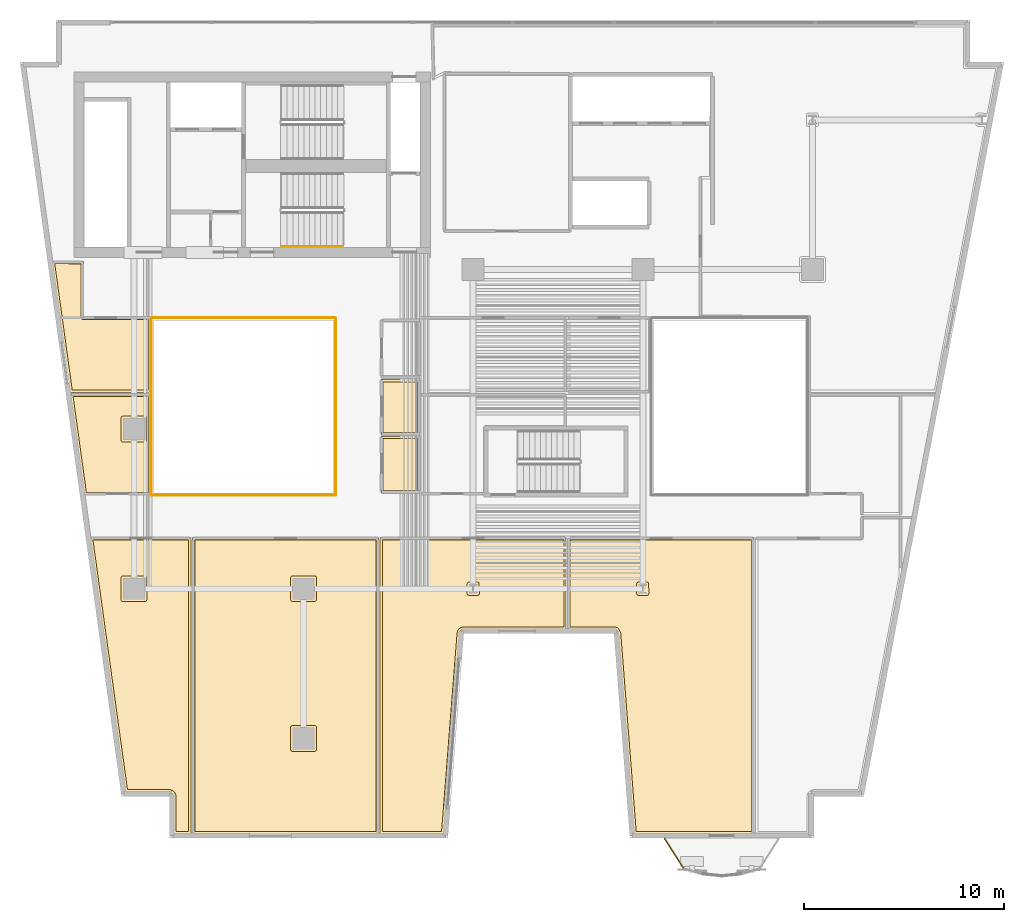
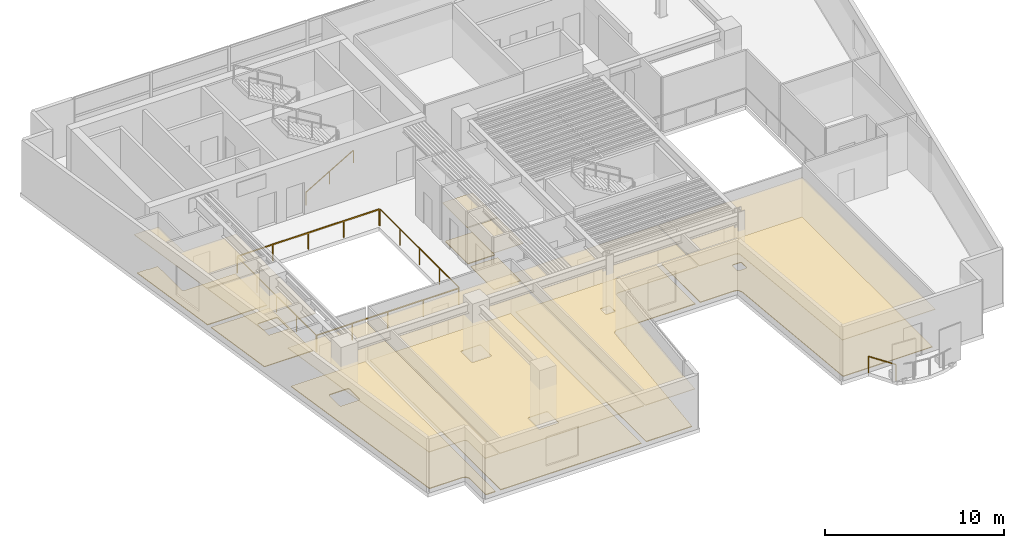
# One storey, part 9 of 13: 16 coverings, 6 railings.
"""IFC4 building model written with IfcOpenShell, lengths in metres."""

from ifc_helpers import new_model, si_unit, direction, frame, origin, origin_2d, place, context, subcontext, project, spatial, polyline, rectangle, outline, extrude, material, layer, layer_set, type_object, element, save


model = new_model("IFC4")

# Units and contexts
model_context = context("Model", 3, precision=1e-05, world=origin(), true_north=direction((0.0, 1.0)))
body_context = subcontext(model_context, "Body", "Model", "MODEL_VIEW")
ifc_project = project(units=[si_unit("LENGTHUNIT", "METRE"), si_unit("AREAUNIT", "SQUARE_METRE"), si_unit("VOLUMEUNIT", "CUBIC_METRE"), si_unit("PLANEANGLEUNIT", "RADIAN"), si_unit("MASSUNIT", "GRAM", prefix="KILO")], contexts=[model_context])

# Site, building, storey
site_placement = place(None, origin())
site = spatial("IfcSite", under=ifc_project, at=site_placement, CompositionType="ELEMENT")
building_placement = place(site_placement, origin())
building = spatial("IfcBuilding", under=site, at=building_placement, Name="Caeloran Harvest Quay", CompositionType="ELEMENT")
storey_placement = place(building_placement, frame((0.0, 0.0, 166.699951171875)))
storey = spatial("IfcBuildingStorey", under=building, at=storey_placement, Name="L39", CompositionType="ELEMENT", Elevation=166.699951171875)

# Coverings
ifc_material_1 = material(Name="Perforated Mineral-Fibre Acoustic Ceiling Tile", Category="ceiling")
ifc_layer_1 = layer(ifc_material_1, 0.0400390625, Name="Perforated Mineral-Fibre Acoustic Ceiling Tile")
ifc_layer_set_1 = layer_set([ifc_layer_1], Name="Perforated Mineral-Fibre Acoustic Ceiling Tile")
covering_type_1 = type_object("IfcCoveringType", Name="COV-CEILING-ACOUSTIC", PredefinedType="CEILING", material=ifc_layer_set_1)
covering_1_placement = place(storey_placement, frame((0.0, 0.0, 2.60009765625)))
element("IfcCovering", 1, at=covering_1_placement, inside=storey, type_object=covering_type_1, Name="L39 Female Washroom WC Acoustic Ceiling", PredefinedType="CEILING", context=body_context, shape_type="SweptSolid", body=[
    extrude(outline(polyline([(22.840087890625, 22.7099609375), (20.8701171875, 22.7099609375), (20.8701171875, 25.489990234375), (22.840087890625, 25.489990234375), (22.840087890625, 22.7099609375)])), origin(), (0.0, 0.0, 1.0), 0.0400390625),
])
covering_2_placement = place(storey_placement, frame((0.0, 0.0, 2.60009765625)))
element("IfcCovering", 2, at=covering_2_placement, inside=storey, type_object=covering_type_1, Name="L39 Accessible Unisex Washroom WC Acoustic Ceiling", PredefinedType="CEILING", context=body_context, shape_type="SweptSolid", body=[
    extrude(outline(polyline([(22.840087890625, 19.81005859375), (20.8701171875, 19.81005859375), (20.8701171875, 22.639892578125), (22.840087890625, 22.639892578125), (22.840087890625, 19.81005859375)])), origin(), (0.0, 0.0, 1.0), 0.0400390625),
])
covering_3_placement = place(storey_placement, frame((0.0, 0.0, 2.60009765625)))
element("IfcCovering", 3, at=covering_3_placement, inside=storey, type_object=covering_type_1, Name="Agro-Finance Summit Conference Hall Acoustic Ceiling", PredefinedType="CEILING", context=body_context, shape_type="SweptSolid", body=[
    extrude(outline(polyline([(20.760009765625, 2.719970703125), (11.43994140625, 2.719970703125), (11.43994140625, 17.56005859375), (20.760009765625, 17.56005859375), (20.760009765625, 2.719970703125)])), origin(), (0.0, 0.0, 1.0), 0.0400390625),
])
covering_4_placement = place(storey_placement, frame((0.0, 0.0, 2.60009765625)))
element("IfcCovering", 4, at=covering_4_placement, inside=storey, type_object=covering_type_1, Name="Carbon Credit Seminar Room Acoustic Ceiling", PredefinedType="CEILING", context=body_context, shape_type="SweptSolid", body=[
    extrude(outline(polyline([(32.771484375, 12.788818359375), (32.739501953125, 12.86962890625), (32.696044921875, 12.918701171875), (32.576904296875, 12.968994140625), (30.239990234375, 12.969970703125), (30.239990234375, 17.56005859375), (39.56005859375, 17.56005859375), (39.56005859375, 2.719970703125), (33.55859375, 2.719970703125), (32.771484375, 12.788818359375)])), origin(), (0.0, 0.0, 1.0), 0.0400390625),
])
covering_5_placement = place(storey_placement, frame((0.0, 0.0, 2.60009765625)))
element("IfcCovering", 5, at=covering_5_placement, inside=storey, type_object=covering_type_1, Name="Investor Espresso Kitchen Acoustic Ceiling", PredefinedType="CEILING", context=body_context, shape_type="SweptSolid", body=[
    extrude(outline(polyline([(10.464111328125, 4.70361328125), (10.373779296875, 4.7939453125), (10.26904296875, 4.820068359375), (8.0712890625, 4.820068359375), (6.309326171875, 17.56005859375), (11.360107421875, 17.56005859375), (11.360107421875, 2.719970703125), (10.489990234375, 2.719970703125), (10.489990234375, 4.59912109375), (10.464111328125, 4.70361328125)])), origin(), (0.0, 0.0, 1.0), 0.0400390625),
])
covering_6_placement = place(storey_placement, frame((0.0, 0.0, 2.60009765625)))
element("IfcCovering", 6, at=covering_6_placement, inside=storey, type_object=covering_type_1, Name="Hospitality Catering Kitchen Acoustic Ceiling", PredefinedType="CEILING", context=body_context, shape_type="SweptSolid", body=[
    extrude(outline(polyline([(24.986572265625, 12.965576171875), (24.925048828125, 12.943359375), (24.8583984375, 12.887451171875), (24.810546875, 12.76611328125), (24.026611328125, 2.719970703125), (20.840087890625, 2.719970703125), (20.840087890625, 17.56005859375), (30.159912109375, 17.56005859375), (30.159912109375, 12.969970703125), (24.986572265625, 12.965576171875)])), origin(), (0.0, 0.0, 1.0), 0.0400390625),
])
covering_7_placement = place(storey_placement, frame((0.0, 0.0, 2.60009765625)))
element("IfcCovering", 7, at=covering_7_placement, inside=storey, type_object=covering_type_1, Name="Executive Wellness Lounge Acoustic Ceiling", PredefinedType="CEILING", context=body_context, shape_type="SweptSolid", body=[
    extrude(outline(polyline([(9.360107421875, 19.7099609375), (6.01220703125, 19.7099609375), (5.313720703125, 24.760009765625), (9.360107421875, 24.760009765625), (9.360107421875, 19.7099609375)])), origin(), (0.0, 0.0, 1.0), 0.0400390625),
])
covering_8_placement = place(storey_placement, frame((0.0, 0.0, 2.60009765625)))
element("IfcCovering", 8, at=covering_8_placement, inside=storey, type_object=covering_type_1, Name="Investor Espresso Kitchen 11 Acoustic Ceiling", PredefinedType="CEILING", context=body_context, shape_type="SweptSolid", body=[
    extrude(outline(polyline([(5.260009765625, 31.389892578125), (5.9599609375, 31.389892578125), (5.9599609375, 28.610107421875), (9.360107421875, 28.610107421875), (9.360107421875, 24.840087890625), (5.302490234375, 24.840087890625), (4.391357421875, 31.429931640625), (5.214599609375, 31.429931640625), (5.260009765625, 31.408447265625), (5.260009765625, 31.389892578125)])), origin(), (0.0, 0.0, 1.0), 0.0400390625),
])
ifc_material_2 = material(Name="Calcium-Sulphate Raised Access Floor and Terrazzo Finish", Category="flooring")
ifc_layer_2 = layer(ifc_material_2, 0.050048828125, Name="Calcium-Sulphate Raised Access Floor and Terrazzo Finish")
ifc_layer_set_2 = layer_set([ifc_layer_2], Name="Calcium-Sulphate Raised Access Floor and Terrazzo Finish")
covering_type_2 = type_object("IfcCoveringType", Name="COV-FLOOR-RAISED", PredefinedType="FLOORING", material=ifc_layer_set_2)
covering_9_placement = place(storey_placement, origin())
element("IfcCovering", 9, at=covering_9_placement, inside=storey, type_object=covering_type_2, Name="L39 Female Washroom WC Raised Finish Flooring", PredefinedType="FLOORING", context=body_context, shape_type="SweptSolid", body=[
    extrude(outline(polyline([(22.719970703125, 22.830078125), (20.989990234375, 22.830078125), (20.989990234375, 25.3701171875), (22.719970703125, 25.3701171875), (22.719970703125, 22.830078125)])), origin(), (0.0, 0.0, 1.0), 0.050048828125),
])
covering_10_placement = place(storey_placement, origin())
element("IfcCovering", 10, at=covering_10_placement, inside=storey, type_object=covering_type_2, Name="L39 Accessible Unisex Washroom WC Raised Finish Flooring", PredefinedType="FLOORING", context=body_context, shape_type="SweptSolid", body=[
    extrude(outline(polyline([(22.719970703125, 19.929931640625), (20.989990234375, 19.929931640625), (20.989990234375, 22.52001953125), (22.719970703125, 22.52001953125), (22.719970703125, 19.929931640625)])), origin(), (0.0, 0.0, 1.0), 0.050048828125),
])
covering_11_placement = place(storey_placement, origin())
element("IfcCovering", 11, at=covering_11_placement, inside=storey, type_object=covering_type_2, Name="Agro-Finance Summit Conference Hall Raised Finish Flooring", PredefinedType="FLOORING", context=body_context, shape_type="SweptSolid", body=[
    extrude(outline(polyline([(11.56005859375, 17.43994140625), (20.639892578125, 17.43994140625), (20.639892578125, 2.840087890625), (11.56005859375, 2.840087890625), (11.56005859375, 17.43994140625)]), holes=[polyline([(16.43505859375, 8.14501953125), (16.37841796875, 8.12158203125), (16.35498046875, 8.06494140625), (16.35498046875, 6.93505859375), (16.37841796875, 6.87841796875), (16.43505859375, 6.85498046875), (17.56494140625, 6.85498046875), (17.62158203125, 6.87841796875), (17.64501953125, 6.93505859375), (17.64501953125, 8.06494140625), (17.62158203125, 8.12158203125), (17.56494140625, 8.14501953125), (16.43505859375, 8.14501953125)]), polyline([(16.43505859375, 15.64501953125), (16.37841796875, 15.62158203125), (16.35498046875, 15.56494140625), (16.35498046875, 14.43505859375), (16.37841796875, 14.37841796875), (16.43505859375, 14.35498046875), (17.56494140625, 14.35498046875), (17.62158203125, 14.37841796875), (17.64501953125, 14.43505859375), (17.64501953125, 15.56494140625), (17.62158203125, 15.62158203125), (17.56494140625, 15.64501953125), (16.43505859375, 15.64501953125)])]), origin(), (0.0, 0.0, 1.0), 0.050048828125),
])
covering_12_placement = place(storey_placement, origin())
element("IfcCovering", 12, at=covering_12_placement, inside=storey, type_object=covering_type_2, Name="Carbon Credit Seminar Room Raised Finish Flooring", PredefinedType="FLOORING", context=body_context, shape_type="SweptSolid", body=[
    extrude(outline(polyline([(32.89404296875, 12.776611328125), (32.80078125, 12.98486328125), (32.7138671875, 13.050537109375), (32.5927734375, 13.087890625), (30.360107421875, 13.090087890625), (30.360107421875, 17.43994140625), (39.43994140625, 17.43994140625), (39.43994140625, 2.840087890625), (33.66943359375, 2.840087890625), (32.89404296875, 12.776611328125)]), holes=[polyline([(34.306884765625, 14.748046875), (34.288818359375, 15.302734375), (34.23486328125, 15.33154296875), (33.77294921875, 15.33203125), (33.71630859375, 15.30859375), (33.693115234375, 15.251953125), (33.693115234375, 14.748046875), (33.71630859375, 14.69140625), (33.77294921875, 14.66796875), (34.22705078125, 14.66796875), (34.28369140625, 14.69140625), (34.306884765625, 14.748046875)])]), origin(), (0.0, 0.0, 1.0), 0.050048828125),
])
covering_13_placement = place(storey_placement, origin())
element("IfcCovering", 13, at=covering_13_placement, inside=storey, type_object=covering_type_2, Name="Investor Espresso Kitchen Raised Finish Flooring", PredefinedType="FLOORING", context=body_context, shape_type="SweptSolid", body=[
    extrude(outline(polyline([(10.58544921875, 4.726318359375), (10.482666015625, 4.865234375), (10.29931640625, 4.938720703125), (8.17578125, 4.93994140625), (6.447021484375, 17.43994140625), (11.239990234375, 17.43994140625), (11.239990234375, 2.840087890625), (10.610107421875, 2.840087890625), (10.610107421875, 4.60009765625), (10.58544921875, 4.726318359375)]), holes=[polyline([(7.93505859375, 15.64501953125), (7.87841796875, 15.62158203125), (7.85498046875, 15.56494140625), (7.85498046875, 14.43505859375), (7.87841796875, 14.37841796875), (7.93505859375, 14.35498046875), (9.06494140625, 14.35498046875), (9.12158203125, 14.37841796875), (9.14501953125, 14.43505859375), (9.14501953125, 15.56494140625), (9.12158203125, 15.62158203125), (9.06494140625, 15.64501953125), (7.93505859375, 15.64501953125)])]), origin(), (0.0, 0.0, 1.0), 0.050048828125),
])
covering_14_placement = place(storey_placement, origin())
element("IfcCovering", 14, at=covering_14_placement, inside=storey, type_object=covering_type_2, Name="Hospitality Catering Kitchen Raised Finish Flooring", PredefinedType="FLOORING", context=body_context, shape_type="SweptSolid", body=[
    extrude(outline(polyline([(25.000244140625, 13.088623046875), (24.89453125, 13.061767578125), (24.789794921875, 12.990478515625), (24.72607421875, 12.902099609375), (24.69140625, 12.780517578125), (23.91552734375, 2.840087890625), (20.9599609375, 2.840087890625), (20.9599609375, 17.43994140625), (30.0400390625, 17.43994140625), (30.0400390625, 13.090087890625), (25.000244140625, 13.088623046875)]), holes=[polyline([(25.806884765625, 14.748046875), (25.788818359375, 15.302734375), (25.73486328125, 15.33154296875), (25.27294921875, 15.33203125), (25.21630859375, 15.30859375), (25.193115234375, 15.251953125), (25.193115234375, 14.748046875), (25.21630859375, 14.69140625), (25.27294921875, 14.66796875), (25.72705078125, 14.66796875), (25.78369140625, 14.69140625), (25.806884765625, 14.748046875)])]), origin(), (0.0, 0.0, 1.0), 0.050048828125),
])
covering_15_placement = place(storey_placement, origin())
element("IfcCovering", 15, at=covering_15_placement, inside=storey, type_object=covering_type_2, Name="Executive Wellness Lounge Raised Finish Flooring", PredefinedType="FLOORING", context=body_context, shape_type="SweptSolid", body=[
    extrude(outline(polyline([(9.239990234375, 24.639892578125), (9.239990234375, 19.830078125), (6.11669921875, 19.830078125), (5.451416015625, 24.639892578125), (9.239990234375, 24.639892578125)]), holes=[polyline([(9.14501953125, 23.56494140625), (9.12158203125, 23.62158203125), (9.06494140625, 23.64501953125), (7.93505859375, 23.64501953125), (7.87841796875, 23.62158203125), (7.85498046875, 23.56494140625), (7.85498046875, 22.43505859375), (7.87841796875, 22.37841796875), (7.93505859375, 22.35498046875), (9.06494140625, 22.35498046875), (9.12158203125, 22.37841796875), (9.14501953125, 22.43505859375), (9.14501953125, 23.56494140625)])]), origin(), (0.0, 0.0, 1.0), 0.050048828125),
])
covering_16_placement = place(storey_placement, origin())
element("IfcCovering", 16, at=covering_16_placement, inside=storey, type_object=covering_type_2, Name="Investor Espresso Kitchen 11 Raised Finish Flooring", PredefinedType="FLOORING", context=body_context, shape_type="SweptSolid", body=[
    extrude(outline(polyline([(5.165283203125, 31.31005859375), (5.2431640625, 31.270263671875), (5.840087890625, 31.27001953125), (5.840087890625, 28.60009765625), (5.8857421875, 28.5107421875), (5.949951171875, 28.489990234375), (9.239990234375, 28.489990234375), (9.239990234375, 24.9599609375), (5.4072265625, 24.9599609375), (4.529052734375, 31.31005859375), (5.165283203125, 31.31005859375)])), origin(), (0.0, 0.0, 1.0), 0.050048828125),
])

# Railings
ifc_material_3 = material(Name="Powder-Coated Steel Post and Laminated Glass Guardrail", Category="steel")
ifc_layer_3 = layer(ifc_material_3, 0.06005859375, Name="Powder-Coated Steel Post and Laminated Glass Guardrail")
ifc_layer_set_3 = layer_set([ifc_layer_3], Name="Powder-Coated Steel Post and Laminated Glass Guardrail")
railing_type_1 = type_object("IfcRailingType", Name="GUARD-ATRIUM-1150", PredefinedType="GUARDRAIL", material=ifc_layer_set_3)
railing_1_placement = place(storey_placement, frame((9.412109375, 19.679931640625, 0.0)))
element("IfcRailing", 17, at=railing_1_placement, inside=storey, type_object=railing_type_1, Name="L39 Skylit Atrium Void Perimeter Guardrail Seg 1", PredefinedType="GUARDRAIL", context=body_context, shape_type="SweptSolid", body=[
    extrude(rectangle(XDim=0.048095703125, YDim=0.048095703125, at=origin_2d()), frame((0.0, 0.0, 1.1259765625), z_axis=(1.0, 0.0, 0.0), x_axis=(0.0, 1.0, 0.0)), (0.0, 0.0, 1.0), 9.17578125),
    extrude(rectangle(XDim=0.0419921875, YDim=0.0419921875, at=origin_2d()), origin(), (0.0, 0.0, 1.0), 1.101806640625),
    extrude(rectangle(XDim=0.0419921875, YDim=0.0419921875, at=origin_2d()), frame((2.2939453125, 0.0, 0.0)), (0.0, 0.0, 1.0), 1.101806640625),
    extrude(rectangle(XDim=0.0419921875, YDim=0.0419921875, at=origin_2d()), frame((4.587890625, 0.0, 0.0)), (0.0, 0.0, 1.0), 1.101806640625),
    extrude(rectangle(XDim=0.0419921875, YDim=0.0419921875, at=origin_2d()), frame((6.8818359375, 0.0, 0.0)), (0.0, 0.0, 1.0), 1.101806640625),
    extrude(rectangle(XDim=0.0419921875, YDim=0.0419921875, at=origin_2d()), frame((9.17578125, 0.0, 0.0)), (0.0, 0.0, 1.0), 1.101806640625),
])
railing_2_placement = place(storey_placement, frame((18.6201171875, 19.7119140625, 0.0)))
element("IfcRailing", 18, at=railing_2_placement, inside=storey, type_object=railing_type_1, Name="L39 Skylit Atrium Void Perimeter Guardrail Seg 2", PredefinedType="GUARDRAIL", context=body_context, shape_type="SweptSolid", body=[
    extrude(rectangle(XDim=0.048095703125, YDim=0.048095703125, at=origin_2d()), frame((0.0, 0.0, 1.1259765625), z_axis=(0.0, 1.0, 0.0), x_axis=(-1.0, 0.0, 0.0)), (0.0, 0.0, 1.0), 8.826171875),
    extrude(rectangle(XDim=0.0419921875, YDim=0.0419921875, at=origin_2d()), origin(), (0.0, 0.0, 1.0), 1.101806640625),
    extrude(rectangle(XDim=0.0419921875, YDim=0.0419921875, at=origin_2d()), frame((0.0, 2.20654296875, 0.0)), (0.0, 0.0, 1.0), 1.101806640625),
    extrude(rectangle(XDim=0.0419921875, YDim=0.0419921875, at=origin_2d()), frame((0.0, 4.4130859375, 0.0)), (0.0, 0.0, 1.0), 1.101806640625),
    extrude(rectangle(XDim=0.0419921875, YDim=0.0419921875, at=origin_2d()), frame((0.0, 6.61962890625, 0.0)), (0.0, 0.0, 1.0), 1.101806640625),
    extrude(rectangle(XDim=0.0419921875, YDim=0.0419921875, at=origin_2d()), frame((0.0, 8.826171875, 0.0)), (0.0, 0.0, 1.0), 1.101806640625),
])
railing_3_placement = place(storey_placement, frame((18.587890625, 28.570068359375, 0.0)))
element("IfcRailing", 19, at=railing_3_placement, inside=storey, type_object=railing_type_1, Name="L39 Skylit Atrium Void Perimeter Guardrail Seg 3", PredefinedType="GUARDRAIL", context=body_context, shape_type="SweptSolid", body=[
    extrude(rectangle(XDim=0.048095703125, YDim=0.048095703125, at=origin_2d()), frame((0.0, 0.0, 1.1259765625), z_axis=(-1.0, 0.0, 0.0), x_axis=(0.0, -1.0, 0.0)), (0.0, 0.0, 1.0), 9.17578125),
    extrude(rectangle(XDim=0.0419921875, YDim=0.0419921875, at=origin_2d()), origin(), (0.0, 0.0, 1.0), 1.101806640625),
    extrude(rectangle(XDim=0.0419921875, YDim=0.0419921875, at=origin_2d()), frame((-2.2939453125, 0.0, 0.0)), (0.0, 0.0, 1.0), 1.101806640625),
    extrude(rectangle(XDim=0.0419921875, YDim=0.0419921875, at=origin_2d()), frame((-4.587890625, 0.0, 0.0)), (0.0, 0.0, 1.0), 1.101806640625),
    extrude(rectangle(XDim=0.0419921875, YDim=0.0419921875, at=origin_2d()), frame((-6.8818359375, 0.0, 0.0)), (0.0, 0.0, 1.0), 1.101806640625),
    extrude(rectangle(XDim=0.0419921875, YDim=0.0419921875, at=origin_2d()), frame((-9.17578125, 0.0, 0.0)), (0.0, 0.0, 1.0), 1.101806640625),
])
railing_4_placement = place(storey_placement, frame((9.3798828125, 28.5380859375, 0.0)))
element("IfcRailing", 20, at=railing_4_placement, inside=storey, type_object=railing_type_1, Name="L39 Skylit Atrium Void Perimeter Guardrail Seg 4", PredefinedType="GUARDRAIL", context=body_context, shape_type="SweptSolid", body=[
    extrude(rectangle(XDim=0.048095703125, YDim=0.048095703125, at=origin_2d()), frame((0.0, 0.0, 1.1259765625), z_axis=(0.0, -1.0, 0.0), x_axis=(1.0, 0.0, 0.0)), (0.0, 0.0, 1.0), 8.826171875),
    extrude(rectangle(XDim=0.0419921875, YDim=0.0419921875, at=origin_2d()), origin(), (0.0, 0.0, 1.0), 1.101806640625),
    extrude(rectangle(XDim=0.0419921875, YDim=0.0419921875, at=origin_2d()), frame((0.0, -2.20654296875, 0.0)), (0.0, 0.0, 1.0), 1.101806640625),
    extrude(rectangle(XDim=0.0419921875, YDim=0.0419921875, at=origin_2d()), frame((0.0, -4.4130859375, 0.0)), (0.0, 0.0, 1.0), 1.101806640625),
    extrude(rectangle(XDim=0.0419921875, YDim=0.0419921875, at=origin_2d()), frame((0.0, -6.61962890625, 0.0)), (0.0, 0.0, 1.0), 1.101806640625),
    extrude(rectangle(XDim=0.0419921875, YDim=0.0419921875, at=origin_2d()), frame((0.0, -8.826171875, 0.0)), (0.0, 0.0, 1.0), 1.101806640625),
])
ifc_material_4 = material(Name="Laminated Safety Glass and Stainless Steel 316", Category="steel")
ifc_layer_4 = layer(ifc_material_4, 0.06005859375, Name="Laminated Safety Glass and Stainless Steel 316")
ifc_layer_set_4 = layer_set([ifc_layer_4], Name="Laminated Safety Glass and Stainless Steel 316")
railing_type_2 = type_object("IfcRailingType", Name="GUARD-BALUSTRADE-1150", PredefinedType="BALUSTRADE", material=ifc_layer_set_4)
railing_5_placement = place(storey_placement, frame((36.02783203125, 1.01416015625, 0.0)))
element("IfcRailing", 21, at=railing_5_placement, inside=storey, type_object=railing_type_2, Name="L39 Planted Balcony Perimeter Balustrade Guard Seg 6", PredefinedType="BALUSTRADE", context=body_context, shape_type="SweptSolid", body=[
    extrude(rectangle(XDim=0.048095703125, YDim=0.048095703125, at=origin_2d()), frame((0.0, 0.0, 1.1259765625), z_axis=(-0.539296460879, 0.842115982085, 0.0), x_axis=(-0.842115982085, -0.539296460879, 0.0)), (0.0, 0.0, 1.0), 1.74072265625),
    extrude(rectangle(XDim=0.0419921875, YDim=0.0419921875, at=origin_2d()), origin(), (0.0, 0.0, 1.0), 1.101806640625),
    extrude(rectangle(XDim=0.0419921875, YDim=0.0419921875, at=origin_2d()), frame((-0.938720703125, 1.4658203125, 0.0)), (0.0, 0.0, 1.0), 1.101806640625),
])
ifc_material_5 = material(Name="Brushed Stainless Steel Grade 304", Category="steel")
ifc_layer_5 = layer(ifc_material_5, 0.050048828125, Name="Brushed Stainless Steel Grade 304")
ifc_layer_set_5 = layer_set([ifc_layer_5], Name="Brushed Stainless Steel Grade 304")
railing_type_3 = type_object("IfcRailingType", Name="STAIR-HANDRAIL-900", PredefinedType="HANDRAIL", material=ifc_layer_set_5)
railing_6_placement = place(storey_placement, frame((15.89990234375, 32.14990234375, 0.16455078125)))
element("IfcRailing", 22, at=railing_6_placement, inside=storey, type_object=railing_type_3, Name="L39 ST-C2 stair handrail 1", PredefinedType="HANDRAIL", context=body_context, shape_type="SweptSolid", body=[
    extrude(rectangle(XDim=0.048095703125, YDim=0.048095703125, at=origin_2d()), frame((0.0, 0.0, 0.8759765625), z_axis=(0.862088758681, 0.0, 0.506757310905), x_axis=(0.0, 1.0, 0.0)), (0.0, 0.0, 1.0), 3.57275390625),
    extrude(rectangle(XDim=0.0419921875, YDim=0.0419921875, at=origin_2d()), origin(), (0.0, 0.0, 1.0), 0.851806640625),
    extrude(rectangle(XDim=0.0419921875, YDim=0.0419921875, at=origin_2d()), frame((1.5400390625, 0.0, 0.9052734375)), (0.0, 0.0, 1.0), 0.851806640625),
    extrude(rectangle(XDim=0.0419921875, YDim=0.0419921875, at=origin_2d()), frame((3.080078125, 0.0, 1.810546875)), (0.0, 0.0, 1.0), 0.851806640625),
])

save(model, "model.ifc")
